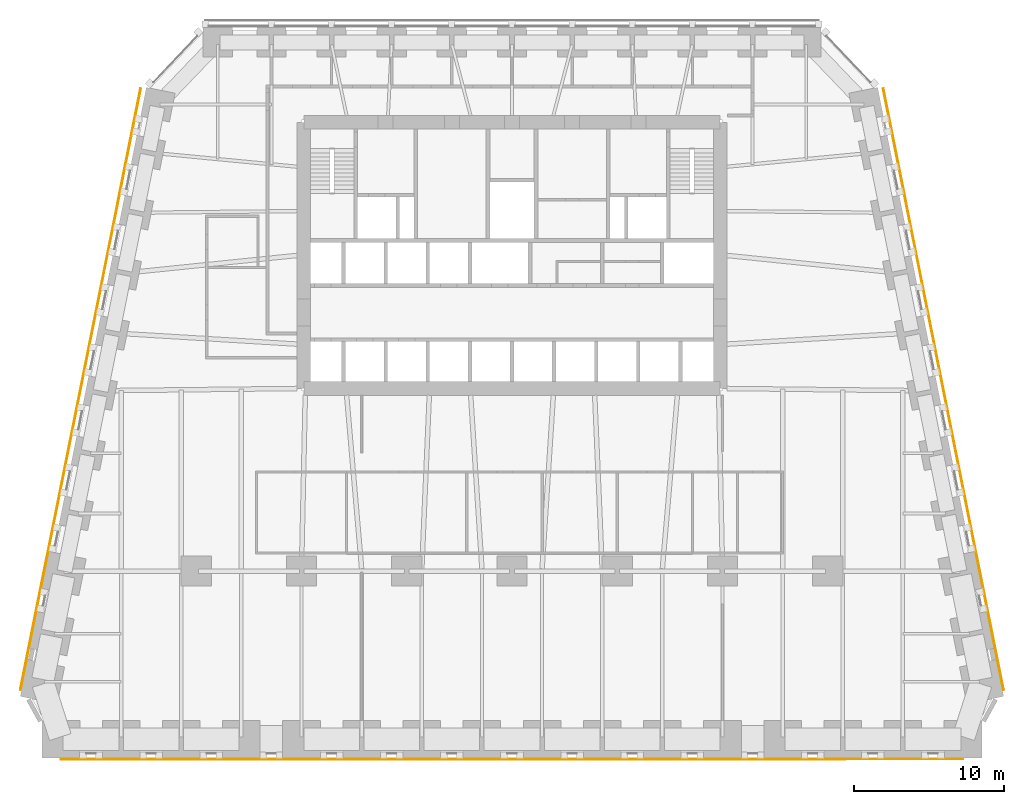
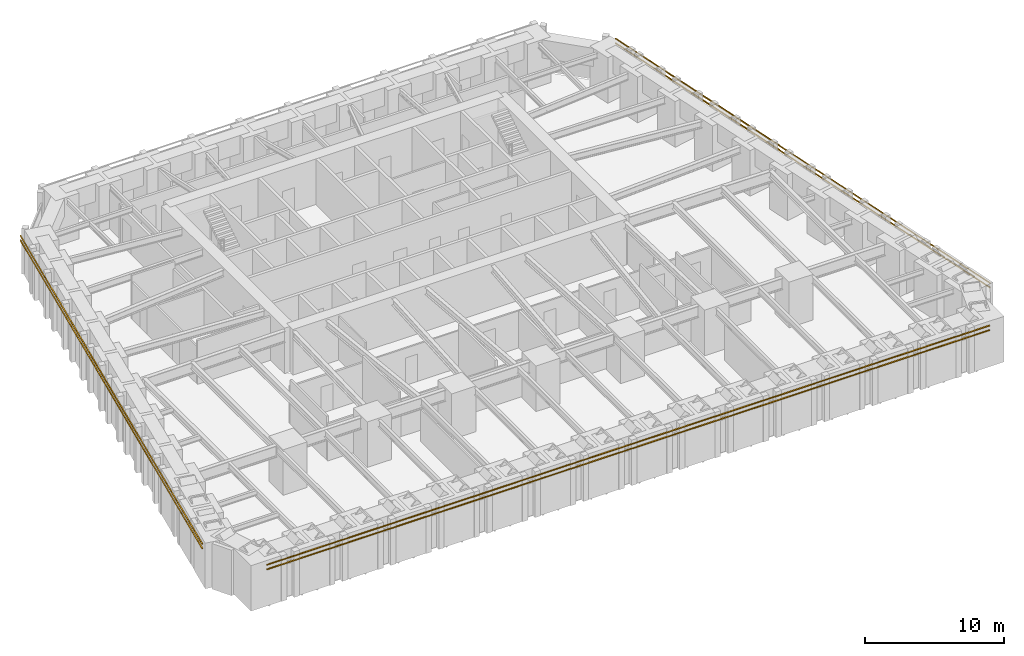
# One storey, part 15 of 16: 6 shading devices.
"""IFC4 building model written with IfcOpenShell, lengths in metres."""

from ifc_helpers import new_model, si_unit, direction, frame, origin, origin_2d, place, context, subcontext, project, spatial, rectangle, extrude, material, material_profile, profile_set, type_object, element, save


model = new_model("IFC4")

# Units and contexts
model_context = context("Model", 3, precision=1e-05, world=origin(), true_north=direction((0.0, 1.0)))
body_context = subcontext(model_context, "Body", "Model", "MODEL_VIEW")
ifc_project = project(units=[si_unit("LENGTHUNIT", "METRE"), si_unit("AREAUNIT", "SQUARE_METRE"), si_unit("VOLUMEUNIT", "CUBIC_METRE"), si_unit("PLANEANGLEUNIT", "RADIAN"), si_unit("MASSUNIT", "GRAM", prefix="KILO")], contexts=[model_context])

# Site, building, storey
site_placement = place(None, origin())
site = spatial("IfcSite", under=ifc_project, at=site_placement, CompositionType="ELEMENT")
building_placement = place(site_placement, origin())
building = spatial("IfcBuilding", under=site, at=building_placement, Name="Isbrekke Arena Tower", CompositionType="ELEMENT")
storey_placement = place(building_placement, frame((0.0, 0.0, 32.0)))
storey = spatial("IfcBuildingStorey", under=building, at=storey_placement, Name="L05", CompositionType="ELEMENT", Elevation=32.0)

# Shading devices
ifc_material = material(Name="Terracotta", Category="masonry")
ifc_material_profile = material_profile(ifc_material, rectangle(XDim=0.06005859375, YDim=0.06005859375, at=origin_2d()), Name="BAGUETTE 60X60")
ifc_profile_set = profile_set([ifc_material_profile], Name="Terracotta")
shading_device_type = type_object("IfcShadingDeviceType", Name="BG1 TERRACOTTA BAGUETTE 60 x 60", PredefinedType="USERDEFINED", material=ifc_profile_set)
for number, where, z_axis, x_axis, name in (
    (1, (-30.0, -18.5048828125, 3.280029296875), (1.0, 0.0, 0.0), (0.0, 1.0, 0.0), "BG1 terracotta baguette S1 L05"),
    (2, (-30.0, -18.5048828125, 3.679931640625), (1.0, 0.0, 0.0), (0.0, 1.0, 0.0), "BG1 terracotta baguette S2 L05"),
):
    element("IfcShadingDevice", number, at=place(storey_placement, frame(where, z_axis=z_axis, x_axis=x_axis)), inside=storey, type_object=shading_device_type, Name=name, ObjectType="TERRACOTTA BAGUETTE", PredefinedType="USERDEFINED", context=body_context, shape_type="SweptSolid", body=[
        extrude(rectangle(XDim=0.06005859375, YDim=0.06005859375, at=origin_2d()), origin(), (0.0, 0.0, 1.0), 60.0),
    ])
for number, where, z_axis, x_axis, name in (
    (3, (32.6953125, -13.90087890625, 3.280029296875), (-0.196116135138, 0.980580675691, 0.0), (-0.980580675691, -0.196116135138, 0.0), "BG1 terracotta baguette E1 L05"),
    (4, (32.6953125, -13.90087890625, 3.679931640625), (-0.196116135138, 0.980580675691, 0.0), (-0.980580675691, -0.196116135138, 0.0), "BG1 terracotta baguette E2 L05"),
    (5, (-24.6953125, 26.09912109375, 3.280029296875), (-0.196116135138, -0.980580675691, 0.0), (0.980580675691, -0.196116135138, 0.0), "BG1 terracotta baguette W1 L05"),
    (6, (-24.6953125, 26.09912109375, 3.679931640625), (-0.196116135138, -0.980580675691, 0.0), (0.980580675691, -0.196116135138, 0.0), "BG1 terracotta baguette W2 L05"),
):
    element("IfcShadingDevice", number, at=place(storey_placement, frame(where, z_axis=z_axis, x_axis=x_axis)), inside=storey, type_object=shading_device_type, Name=name, ObjectType="TERRACOTTA BAGUETTE", PredefinedType="USERDEFINED", context=body_context, shape_type="SweptSolid", body=[
        extrude(rectangle(XDim=0.06005859375, YDim=0.06005859375, at=origin_2d()), origin(), (0.0, 0.0, 1.0), 40.792236328125),
    ])

save(model, "model.ifc")
